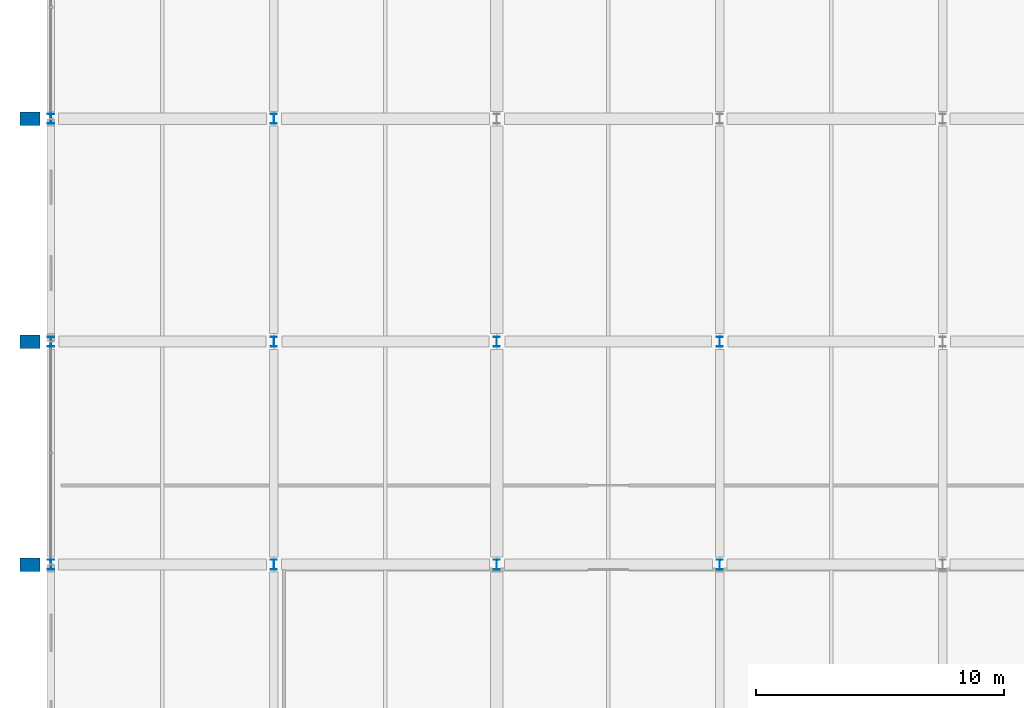
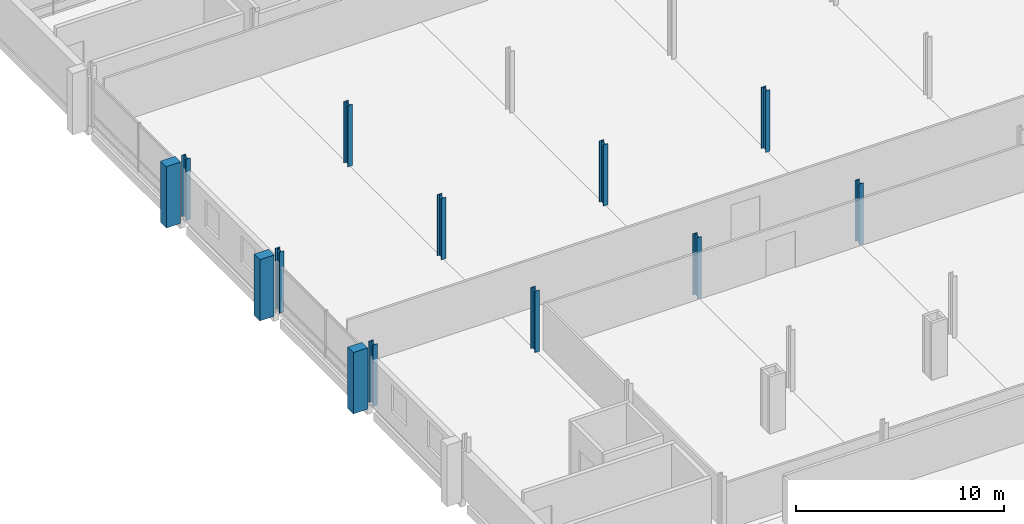
# One storey, part 6 of 132: 13 columns.
"""IFC4 building model written with IfcOpenShell, lengths in metres."""

from ifc_helpers import new_model, si_unit, direction, frame, origin, origin_2d, place, context, subcontext, project, spatial, rectangle, i_section, extrude, material, material_profile, profile_set, type_object, element, save


model = new_model("IFC4")

# Units and contexts
model_context = context("Model", 3, precision=1e-05, world=origin(), true_north=direction((0.0, 1.0)))
body_context = subcontext(model_context, "Body", "Model", "MODEL_VIEW")
ifc_project = project(units=[si_unit("LENGTHUNIT", "METRE"), si_unit("AREAUNIT", "SQUARE_METRE"), si_unit("VOLUMEUNIT", "CUBIC_METRE"), si_unit("PLANEANGLEUNIT", "RADIAN"), si_unit("MASSUNIT", "GRAM", prefix="KILO")], contexts=[model_context])

# Site, building, storey
site_placement = place(None, origin())
site = spatial("IfcSite", under=ifc_project, at=site_placement, CompositionType="ELEMENT")
building_placement = place(site_placement, origin())
building = spatial("IfcBuilding", under=site, at=building_placement, Name="Tharagai Park Tramway Depot", CompositionType="ELEMENT")
storey_placement = place(building_placement, frame((0.0, 0.0, 4.800048828125)))
storey = spatial("IfcBuildingStorey", under=building, at=storey_placement, Name="L01", CompositionType="ELEMENT", Elevation=4.800048828125)

# Columns
ifc_material_1 = material(Name="Steel E350", Category="steel")
ifc_material_profile_1 = material_profile(ifc_material_1, i_section(OverallWidth=0.25, OverallDepth=0.39990234375, WebThickness=0.010498046875, FlangeThickness=0.0126953125, FilletRadius=0.013916015625, at=origin_2d()), Name="ISHB 400")
ifc_profile_set_1 = profile_set([ifc_material_profile_1], Name="Steel E350")
column_type_1 = type_object("IfcColumnType", Name="CL-06", PredefinedType="COLUMN", material=ifc_profile_set_1)
for number, where, z_axis, x_axis, name in (
    (1, (0.0, 63.0, 0.0), (0.0, 0.0, 1.0), (1.0, 0.0, 0.0), "L01 Structural Column CL-06 (0,63)"),
    (2, (0.0, 72.0, 0.0), (0.0, 0.0, 1.0), (1.0, 0.0, 0.0), "L01 Structural Column CL-06 (0,72)"),
    (3, (0.0, 81.0, 0.0), (0.0, 0.0, 1.0), (1.0, 0.0, 0.0), "L01 Structural Column CL-06 (0,81)"),
    (4, (9.0, 63.0, 0.0), (0.0, 0.0, 1.0), (1.0, 0.0, 0.0), "L01 Structural Column CL-06 (9,63)"),
    (5, (9.0, 72.0, 0.0), (0.0, 0.0, 1.0), (1.0, 0.0, 0.0), "L01 Structural Column CL-06 (9,72)"),
    (6, (9.0, 81.0, 0.0), (0.0, 0.0, 1.0), (1.0, 0.0, 0.0), "L01 Structural Column CL-06 (9,81)"),
    (7, (18.0, 63.0, 0.0), (0.0, 0.0, 1.0), (1.0, 0.0, 0.0), "L01 Structural Column CL-06 (18,63)"),
    (8, (18.0, 72.0, 0.0), (0.0, 0.0, 1.0), (1.0, 0.0, 0.0), "L01 Structural Column CL-06 (18,72)"),
    (9, (27.0, 63.0, 0.0), (0.0, 0.0, 1.0), (1.0, 0.0, 0.0), "L01 Structural Column CL-06 (27,63)"),
    (10, (27.0, 72.0, 0.0), (0.0, 0.0, 1.0), (1.0, 0.0, 0.0), "L01 Structural Column CL-06 (27,72)"),
):
    element("IfcColumn", number, at=place(storey_placement, frame(where, z_axis=z_axis, x_axis=x_axis)), inside=storey, type_object=column_type_1, Name=name, PredefinedType="COLUMN", context=body_context, shape_type="SweptSolid", body=[
        extrude(i_section(OverallWidth=0.25, OverallDepth=0.39990234375, WebThickness=0.010498046875, FlangeThickness=0.0126953125, FilletRadius=0.013916015625, at=origin_2d()), origin(), (0.0, 0.0, 1.0), 3.599853515625),
    ])
ifc_material_2 = material(Name="Concrete M40", Category="concrete")
ifc_material_profile_2 = material_profile(ifc_material_2, rectangle(XDim=0.550048828125, YDim=0.800048828125, at=origin_2d()), Name="RC 550x800")
ifc_profile_set_2 = profile_set([ifc_material_profile_2], Name="Concrete M40")
column_type_2 = type_object("IfcColumnType", Name="PL-02", PredefinedType="PILASTER", material=ifc_profile_set_2)
for number, where, z_axis, x_axis, name in (
    (11, (-0.85009765625, 63.0, 0.0), (0.0, 0.0, 1.0), (0.0, 1.0, 0.0), "L01 Stepped Gothic Buttress PL-02 W-063"),
    (12, (-0.85009765625, 72.0, 0.0), (0.0, 0.0, 1.0), (0.0, 1.0, 0.0), "L01 Stepped Gothic Buttress PL-02 W-072"),
    (13, (-0.85009765625, 81.0, 0.0), (0.0, 0.0, 1.0), (0.0, 1.0, 0.0), "L01 Stepped Gothic Buttress PL-02 W-081"),
):
    element("IfcColumn", number, at=place(storey_placement, frame(where, z_axis=z_axis, x_axis=x_axis)), inside=storey, type_object=column_type_2, Name=name, PredefinedType="PILASTER", context=body_context, shape_type="SweptSolid", body=[
        extrude(rectangle(XDim=0.550048828125, YDim=0.800048828125, at=origin_2d()), origin(), (0.0, 0.0, 1.0), 3.599853515625),
    ])

save(model, "model.ifc")
